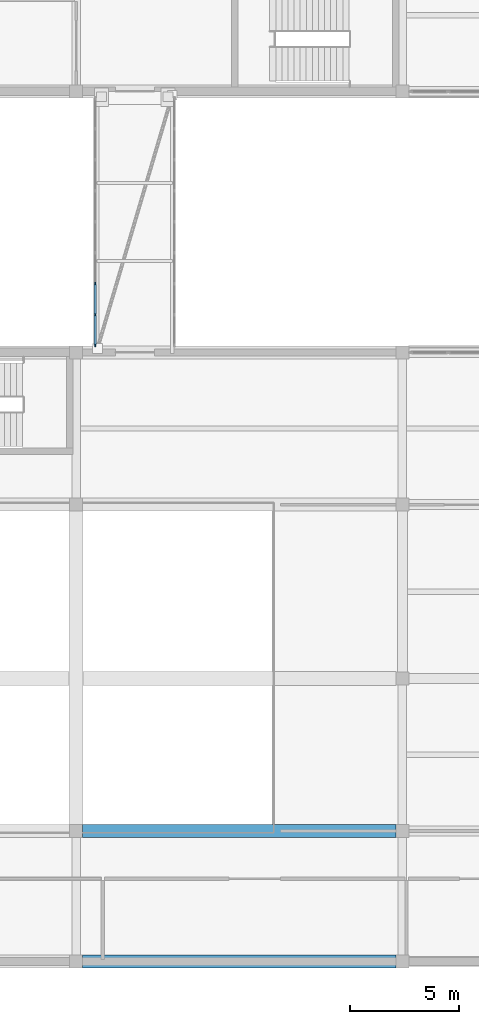
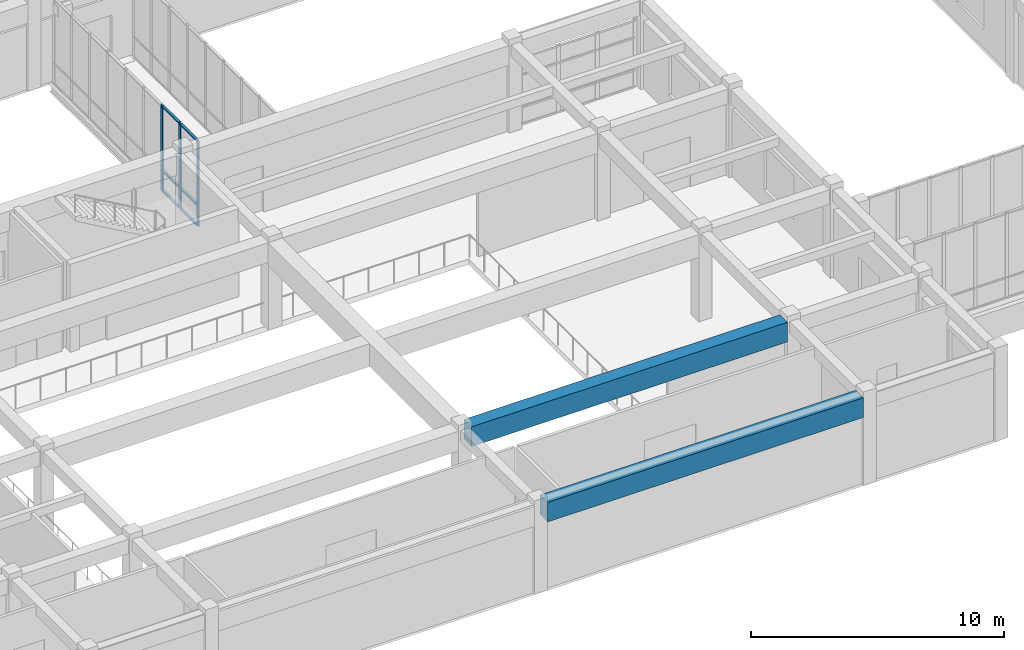
# One storey, part 6 of 72: 9 members, 2 beams, 1 element without a shape of its own.
"""IFC4 building model written with IfcOpenShell, lengths in metres."""

from ifc_helpers import new_model, si_unit, direction, frame, origin, origin_2d, place, context, subcontext, project, spatial, rectangle, extrude, material, layer, layer_set, material_profile, profile_set, type_object, element, aggregate, save


model = new_model("IFC4")

# Units and contexts
model_context = context("Model", 3, precision=1e-05, world=origin(), true_north=direction((0.0, 1.0)))
body_context = subcontext(model_context, "Body", "Model", "MODEL_VIEW")
ifc_project = project(units=[si_unit("LENGTHUNIT", "METRE"), si_unit("AREAUNIT", "SQUARE_METRE"), si_unit("VOLUMEUNIT", "CUBIC_METRE"), si_unit("PLANEANGLEUNIT", "RADIAN"), si_unit("MASSUNIT", "GRAM", prefix="KILO")], contexts=[model_context])

# Site, building, storey
site_placement = place(None, origin())
site = spatial("IfcSite", under=ifc_project, at=site_placement, CompositionType="ELEMENT")
building_placement = place(site_placement, origin())
building = spatial("IfcBuilding", under=site, at=building_placement, Name="Naurynzar Civic Courthouse", CompositionType="ELEMENT")
storey_placement = place(building_placement, frame((0.0, 0.0, 9.89990234375)))
storey = spatial("IfcBuildingStorey", under=building, at=storey_placement, Name="L03", CompositionType="ELEMENT", Elevation=9.89990234375)

# Beams
ifc_material_1 = material(Name="Concrete C40/50", Category="concrete")
ifc_material_profile_1 = material_profile(ifc_material_1, rectangle(XDim=0.60009765625, YDim=0.949951171875, at=origin_2d()), Name="PTB 600x950")
ifc_profile_set_1 = profile_set([ifc_material_profile_1], Name="Concrete C40/50")
beam_type = type_object("IfcBeamType", Name="BM-PT-600x950", PredefinedType="T_BEAM", material=ifc_profile_set_1)
for number, where, z_axis, x_axis, name in (
    (1, (35.300048828125, 4.0, 3.755126953125), (1.0, 0.0, 0.0), (0.0, 1.0, 0.0), "V4 beam X-1859 L03"),
    (2, (35.300048828125, 10.0, 3.755126953125), (1.0, 0.0, 0.0), (0.0, 1.0, 0.0), "V4 beam X-1864 L03"),
):
    element("IfcBeam", number, at=place(storey_placement, frame(where, z_axis=z_axis, x_axis=x_axis)), inside=storey, type_object=beam_type, Name=name, PredefinedType="T_BEAM", context=body_context, shape_type="SweptSolid", body=[
        extrude(rectangle(XDim=0.60009765625, YDim=0.949951171875, at=origin_2d()), origin(), (0.0, 0.0, 1.0), 14.39990234375),
    ])

# Curtain wall, members
ifc_material_2 = material(Name="Aluminium 6063-T6", Category="aluminium")
ifc_layer = layer(ifc_material_2, 0.14990234375)
ifc_layer_set = layer_set([ifc_layer], Name="CW-BRIDGE-1500")
curtain_wall_type = type_object("IfcCurtainWallType", Name="CW-BRIDGE-1500", PredefinedType="USERDEFINED", material=ifc_layer_set)
curtain_wall_placement = place(storey_placement, origin())
curtain_wall = element("IfcCurtainWall", 3, at=curtain_wall_placement, inside=storey, type_object=curtain_wall_type, Name="BR-W1 glazed bridge screen L03.1", ObjectType="GLAZED BRIDGE SCREEN", PredefinedType="USERDEFINED")
ifc_material_3 = material(Name="Aluminium 6063-T6", Category="aluminium")
ifc_material_profile_2 = material_profile(ifc_material_3, rectangle(XDim=0.06005859375, YDim=0.14990234375, at=origin_2d()), Name="ALU MULLION 60x150")
ifc_profile_set_2 = profile_set([ifc_material_profile_2], Name="Aluminium 6063-T6")
member_type_1 = type_object("IfcMemberType", Name="CWM-60x150", PredefinedType="MULLION", material=ifc_profile_set_2)
member_1_placement = place(storey_placement, frame((35.8798828125, 35.14990234375, 0.0), z_axis=(0.0, 0.0, 1.0), x_axis=(1.0, 0.0, 0.0)))
member_1 = element("IfcMember", 4, at=member_1_placement, type_object=member_type_1, Name="CW-03 mullion 7", PredefinedType="MULLION", context=body_context, shape_type="SweptSolid", body=[
    extrude(rectangle(XDim=0.06005859375, YDim=0.14990234375, at=origin_2d()), origin(), (0.0, 0.0, 1.0), 4.1201171875),
])
member_2_placement = place(storey_placement, frame((35.8798828125, 33.72509765625, 0.0), z_axis=(0.0, 0.0, 1.0), x_axis=(1.0, 0.0, 0.0)))
member_2 = element("IfcMember", 5, at=member_2_placement, type_object=member_type_1, Name="CW-03 mullion 8", PredefinedType="MULLION", context=body_context, shape_type="SweptSolid", body=[
    extrude(rectangle(XDim=0.06005859375, YDim=0.14990234375, at=origin_2d()), origin(), (0.0, 0.0, 1.0), 4.1201171875),
])
member_3_placement = place(storey_placement, frame((35.8798828125, 32.330078125, 0.0), z_axis=(0.0, 0.0, 1.0), x_axis=(1.0, 0.0, 0.0)))
member_3 = element("IfcMember", 6, at=member_3_placement, type_object=member_type_1, Name="CW-03 mullion 9", PredefinedType="MULLION", context=body_context, shape_type="SweptSolid", body=[
    extrude(rectangle(XDim=0.06005859375, YDim=0.14990234375, at=origin_2d()), origin(), (0.0, 0.0, 1.0), 4.1201171875),
])
ifc_material_4 = material(Name="Aluminium 6063-T6", Category="aluminium")
ifc_material_profile_3 = material_profile(ifc_material_4, rectangle(XDim=0.110107421875, YDim=0.06005859375, at=origin_2d()), Name="ALU TRANSOM 60x110")
ifc_profile_set_3 = profile_set([ifc_material_profile_3], Name="Aluminium 6063-T6")
member_type_2 = type_object("IfcMemberType", Name="CWT-60x110", PredefinedType="USERDEFINED", material=ifc_profile_set_3)
member_4_placement = place(storey_placement, frame((35.8798828125, 35.1201171875, 0.030029296875), z_axis=(0.0, -1.0, 0.0), x_axis=(1.0, 0.0, 0.0)))
member_4 = element("IfcMember", 7, at=member_4_placement, type_object=member_type_2, Name="CW-03 transom 7.1", ObjectType="TRANSOM", PredefinedType="USERDEFINED", context=body_context, shape_type="SweptSolid", body=[
    extrude(rectangle(XDim=0.110107421875, YDim=0.06005859375, at=origin_2d()), origin(), (0.0, 0.0, 1.0), 1.365234375),
])
member_5_placement = place(storey_placement, frame((35.8798828125, 35.1201171875, 1.0), z_axis=(0.0, -1.0, 0.0), x_axis=(1.0, 0.0, 0.0)))
member_5 = element("IfcMember", 8, at=member_5_placement, type_object=member_type_2, Name="CW-03 transom 7.2", ObjectType="TRANSOM", PredefinedType="USERDEFINED", context=body_context, shape_type="SweptSolid", body=[
    extrude(rectangle(XDim=0.110107421875, YDim=0.06005859375, at=origin_2d()), origin(), (0.0, 0.0, 1.0), 1.365234375),
])
member_6_placement = place(storey_placement, frame((35.8798828125, 35.1201171875, 4.090087890625), z_axis=(0.0, -1.0, 0.0), x_axis=(1.0, 0.0, 0.0)))
member_6 = element("IfcMember", 9, at=member_6_placement, type_object=member_type_2, Name="CW-03 transom 7.3", ObjectType="TRANSOM", PredefinedType="USERDEFINED", context=body_context, shape_type="SweptSolid", body=[
    extrude(rectangle(XDim=0.110107421875, YDim=0.06005859375, at=origin_2d()), origin(), (0.0, 0.0, 1.0), 1.365234375),
])
member_7_placement = place(storey_placement, frame((35.8798828125, 33.695068359375, 0.030029296875), z_axis=(0.0, -1.0, 0.0), x_axis=(1.0, 0.0, 0.0)))
member_7 = element("IfcMember", 10, at=member_7_placement, type_object=member_type_2, Name="CW-03 transom 8.1", ObjectType="TRANSOM", PredefinedType="USERDEFINED", context=body_context, shape_type="SweptSolid", body=[
    extrude(rectangle(XDim=0.110107421875, YDim=0.06005859375, at=origin_2d()), origin(), (0.0, 0.0, 1.0), 1.3349609375),
])
member_8_placement = place(storey_placement, frame((35.8798828125, 33.695068359375, 1.0), z_axis=(0.0, -1.0, 0.0), x_axis=(1.0, 0.0, 0.0)))
member_8 = element("IfcMember", 11, at=member_8_placement, type_object=member_type_2, Name="CW-03 transom 8.2", ObjectType="TRANSOM", PredefinedType="USERDEFINED", context=body_context, shape_type="SweptSolid", body=[
    extrude(rectangle(XDim=0.110107421875, YDim=0.06005859375, at=origin_2d()), origin(), (0.0, 0.0, 1.0), 1.3349609375),
])
member_9_placement = place(storey_placement, frame((35.8798828125, 33.695068359375, 4.090087890625), z_axis=(0.0, -1.0, 0.0), x_axis=(1.0, 0.0, 0.0)))
member_9 = element("IfcMember", 12, at=member_9_placement, type_object=member_type_2, Name="CW-03 transom 8.3", ObjectType="TRANSOM", PredefinedType="USERDEFINED", context=body_context, shape_type="SweptSolid", body=[
    extrude(rectangle(XDim=0.110107421875, YDim=0.06005859375, at=origin_2d()), origin(), (0.0, 0.0, 1.0), 1.3349609375),
])
aggregate(curtain_wall, [member_1, member_2, member_3, member_4, member_5, member_6, member_7, member_8, member_9])

save(model, "model.ifc")
